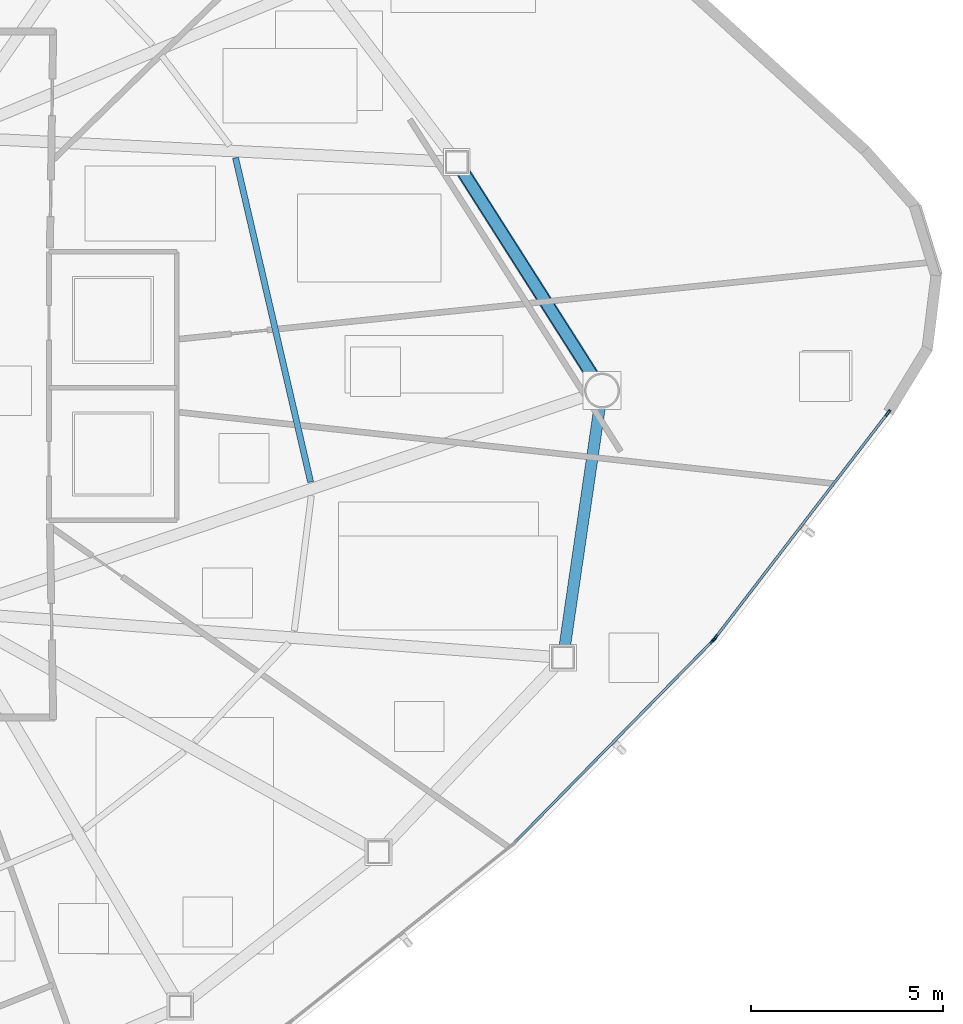
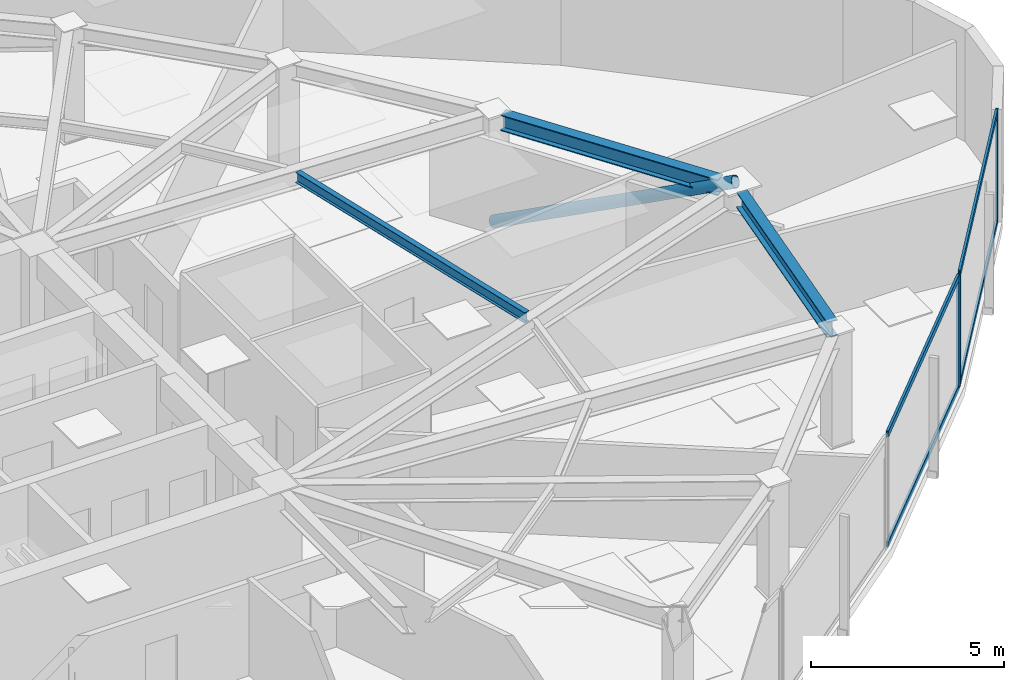
# One storey, part 6 of 18: 8 members, 3 beams, 2 elements without a shape of their own.
"""IFC4 building model written with IfcOpenShell, lengths in metres."""

from ifc_helpers import new_model, si_unit, direction, frame, origin, origin_2d, place, context, subcontext, project, spatial, hollow_rectangle, hollow_circle, i_section, extrude, source, transform, mapped, material, layer, layer_set, material_profile, profile_set, type_object, type_shapes, element, aggregate, save


model = new_model("IFC4")

# Units and contexts
model_context = context("Model", 3, precision=1e-05, world=origin(), true_north=direction((0.0, 1.0)))
body_context = subcontext(model_context, "Body", "Model", "MODEL_VIEW")
ifc_project = project(units=[si_unit("LENGTHUNIT", "METRE"), si_unit("AREAUNIT", "SQUARE_METRE"), si_unit("VOLUMEUNIT", "CUBIC_METRE"), si_unit("PLANEANGLEUNIT", "RADIAN"), si_unit("MASSUNIT", "GRAM", prefix="KILO")], contexts=[model_context])

# Site, building, storey
site_placement = place(None, origin())
site = spatial("IfcSite", under=ifc_project, at=site_placement, CompositionType="ELEMENT")
building_placement = place(site_placement, origin())
building = spatial("IfcBuilding", under=site, at=building_placement, Name="Tavelor Broadcast Tower", CompositionType="ELEMENT")
storey_placement = place(building_placement, frame((0.0, 0.0, 181.050048828125)))
storey = spatial("IfcBuildingStorey", under=building, at=storey_placement, Name="L43", CompositionType="ELEMENT", Elevation=181.050048828125)

# Beams
ifc_material_1 = material(Name="Steel S355", Category="steel")
ifc_material_profile_1 = material_profile(ifc_material_1, i_section(OverallWidth=0.159912109375, OverallDepth=0.330078125, WebThickness=0.007568359375, FlangeThickness=0.011474609375, at=origin_2d()), Name="IPE 330")
ifc_profile_set_1 = profile_set([ifc_material_profile_1], Name="Steel S355")
beam_type_1 = type_object("IfcBeamType", Name="Composite Floor Joist T4 IPE 330", PredefinedType="JOIST", material=ifc_profile_set_1)
beam_1_placement = place(storey_placement, frame((66.069091796875, 42.195068359375, 3.385009765625), z_axis=(-0.225617102792, 0.974216055569, 0.0), x_axis=(-0.974216055569, -0.225617102792, 0.0)))
element("IfcBeam", 1, at=beam_1_placement, inside=storey, type_object=beam_type_1, Name="L43 Secondary Composite Floor Joist 13", PredefinedType="JOIST", context=body_context, shape_type="SweptSolid", body=[
    extrude(i_section(OverallWidth=0.159912109375, OverallDepth=0.330078125, WebThickness=0.007568359375, FlangeThickness=0.011474609375, at=origin_2d()), origin(), (0.0, 0.0, 1.0), 8.683837890625),
])
ifc_material_profile_2 = material_profile(ifc_material_1, i_section(OverallWidth=0.300048828125, OverallDepth=0.5, WebThickness=0.014404296875, FlangeThickness=0.028076171875, at=origin_2d()), Name="HEB 500")
ifc_profile_set_2 = profile_set([ifc_material_profile_2], Name="Steel S355")
beam_type_2 = type_object("IfcBeamType", Name="Perimeter Spandrel Beam T4 HEB 500", PredefinedType="SPANDREL", material=ifc_profile_set_2)
beam_2_placement = place(storey_placement, frame((72.700927734375, 37.892333984375, 3.300048828125), z_axis=(0.144298223799, 0.989534245293, 0.0), x_axis=(-0.989534245293, 0.144298223799, 0.0)))
element("IfcBeam", 2, at=beam_2_placement, inside=storey, type_object=beam_type_2, Name="L43 Framed-Tube Ring Spandrel 12", PredefinedType="SPANDREL", context=body_context, shape_type="SweptSolid", body=[
    extrude(i_section(OverallWidth=0.300048828125, OverallDepth=0.5, WebThickness=0.014404296875, FlangeThickness=0.028076171875, at=origin_2d()), origin(), (0.0, 0.0, 1.0), 6.3193359375),
])
beam_3_placement = place(storey_placement, frame((73.440673828125, 44.94970703125, 3.300048828125), z_axis=(-0.536287336864, 0.844035480486, 0.0), x_axis=(-0.844035480486, -0.536287336864, 0.0)))
element("IfcBeam", 3, at=beam_3_placement, inside=storey, type_object=beam_type_2, Name="L43 Framed-Tube Ring Spandrel 13", PredefinedType="SPANDREL", context=body_context, shape_type="SweptSolid", body=[
    extrude(i_section(OverallWidth=0.300048828125, OverallDepth=0.5, WebThickness=0.014404296875, FlangeThickness=0.028076171875, at=origin_2d()), origin(), (0.0, 0.0, 1.0), 6.340087890625),
])

# Member
ifc_material_profile_3 = material_profile(ifc_material_1, hollow_circle(Radius=0.177734375, WallThickness=0.01611328125, at=origin_2d()), Name="CHS 355.6x16")
ifc_profile_set_3 = profile_set([ifc_material_profile_3], Name="Steel S355")
member_type_1 = type_object("IfcMemberType", Name="Perimeter Tube Brace T4 CHS 355.6x16", PredefinedType="BRACE", material=ifc_profile_set_3)
member_1_placement = place(storey_placement, frame((69.885986328125, 50.544189453125, 0.0), z_axis=(0.479238755177, -0.754205232397, 0.448892729904), x_axis=(0.844021198089, 0.536309814544, 0.0)))
element("IfcMember", 4, at=member_1_placement, inside=storey, type_object=member_type_1, Name="L43 Corner Tube Diagonal Brace 3", PredefinedType="BRACE", context=body_context, shape_type="SweptSolid", body=[
    extrude(hollow_circle(Radius=0.177734375, WallThickness=0.01611328125, at=origin_2d()), origin(), (0.0, 0.0, 1.0), 7.908447265625),
])

# Curtain wall, member
ifc_material_2 = material(Name="Architectural Anodized Aluminium", Category="aluminium")
ifc_layer = layer(ifc_material_2, 0.18994140625)
ifc_layer_set = layer_set([ifc_layer], Name="Architectural Anodized Aluminium")
curtain_wall_type = type_object("IfcCurtainWallType", Name="Tower Mid-Zone Acoustic Curtain Wall CW03", PredefinedType="NOTDEFINED", material=ifc_layer_set)
curtain_wall_1_placement = place(storey_placement, origin())
curtain_wall_1 = element("IfcCurtainWall", 5, at=curtain_wall_1_placement, inside=storey, type_object=curtain_wall_type, Name="L43 Curtain Wall CW03 Run 463", PredefinedType="NOTDEFINED")
ifc_material_profile_4 = material_profile(ifc_material_2, hollow_rectangle(XDim=0.068115234375, YDim=0.18994140625, WallThickness=0.02197265625, at=origin_2d()), Name="RHS 68x190x22")
ifc_profile_set_4 = profile_set([ifc_material_profile_4], Name="Architectural Anodized Aluminium")
member_type_2 = type_object("IfcMemberType", Name="CW03 Extruded Aluminium Mullion 68x190", PredefinedType="MULLION", material=ifc_profile_set_4)
shared_shape_1 = source(origin(), body_context, "Body", "SweptSolid", [
    extrude(hollow_rectangle(XDim=0.068115234375, YDim=0.18994140625, WallThickness=0.02197265625, at=origin_2d()), origin(), (0.0, 0.0, 1.0), 3.550048828125),
])
type_shapes(member_type_2, [shared_shape_1])
member_2_placement = place(storey_placement, frame((76.562744140625, 38.0478515625, 0.0), z_axis=(0.0, 0.0, 1.0), x_axis=(-0.713567261268, 0.700586728141, 0.0)))
member_2 = element("IfcMember", 6, at=member_2_placement, type_object=member_type_2, Name="CW03 mullion 2", PredefinedType="MULLION", context=body_context, shape_type="MappedRepresentation", body=[
    mapped(shared_shape_1, transform((0.0, 0.0, 0.0), scale=1.0)),
])

# Curtain wall, members
curtain_wall_2_placement = place(storey_placement, origin())
curtain_wall_2 = element("IfcCurtainWall", 7, at=curtain_wall_2_placement, inside=storey, type_object=curtain_wall_type, Name="L43 Curtain Wall CW03 Run 464", PredefinedType="NOTDEFINED")
member_3_placement = place(storey_placement, frame((76.626953125, 38.12158203125, 0.0), z_axis=(0.0, 0.0, 1.0), x_axis=(-0.793106237136, 0.609083324855, 0.0)))
member_3 = element("IfcMember", 8, at=member_3_placement, type_object=member_type_2, Name="CW03 mullion 1", PredefinedType="MULLION", context=body_context, shape_type="MappedRepresentation", body=[
    mapped(shared_shape_1, transform((0.0, 0.0, 0.0), scale=1.0)),
])
member_4_placement = place(storey_placement, frame((81.137451171875, 43.994873046875, 0.0), z_axis=(0.0, 0.0, 1.0), x_axis=(-0.793106237136, 0.609083324855, 0.0)))
member_4 = element("IfcMember", 9, at=member_4_placement, type_object=member_type_2, Name="CW03 mullion 2", PredefinedType="MULLION", context=body_context, shape_type="MappedRepresentation", body=[
    mapped(shared_shape_1, transform((0.0, 0.0, 0.0), scale=1.0)),
])

# Member
ifc_material_profile_5 = material_profile(ifc_material_2, hollow_rectangle(XDim=0.068115234375, YDim=0.18994140625, WallThickness=0.02197265625, at=origin_2d()), Name="RHS 68x190x22")
ifc_profile_set_5 = profile_set([ifc_material_profile_5], Name="Architectural Anodized Aluminium")
member_type_3 = type_object("IfcMemberType", Name="CW03 Extruded Aluminium Transom 68x190", PredefinedType="USERDEFINED", material=ifc_profile_set_5)
shared_shape_2 = source(origin(), body_context, "Body", "SweptSolid", [
    extrude(hollow_rectangle(XDim=0.068115234375, YDim=0.18994140625, WallThickness=0.02197265625, at=origin_2d()), origin(), (0.0, 0.0, 1.0), 7.3212890625),
])
member_5_placement = place(storey_placement, frame((71.40966796875, 32.79931640625, 0.033935546875), z_axis=(0.700591006152, 0.713563061052, 0.0), x_axis=(-0.713563061052, 0.700591006152, 0.0)))
member_5 = element("IfcMember", 10, at=member_5_placement, type_object=member_type_3, Name="CW03 transom 1.1", ObjectType="TRANSOM", PredefinedType="USERDEFINED", context=body_context, shape_type="MappedRepresentation", body=[
    mapped(shared_shape_2, transform((0.0, 0.0, 0.0), scale=1.0)),
])

member_6_placement = place(storey_placement, frame((71.40966796875, 32.79931640625, 3.515869140625), z_axis=(0.700591006152, 0.713563061052, 0.0), x_axis=(-0.713563061052, 0.700591006152, 0.0)))
member_6 = element("IfcMember", 11, at=member_6_placement, type_object=member_type_3, Name="CW03 transom 1.2", ObjectType="TRANSOM", PredefinedType="USERDEFINED", context=body_context, shape_type="MappedRepresentation", body=[
    mapped(shared_shape_2, transform((0.0, 0.0, 0.0), scale=1.0)),
])

aggregate(curtain_wall_1, [member_2, member_5, member_6])

shared_shape_3 = source(origin(), body_context, "Body", "SweptSolid", [
    extrude(hollow_rectangle(XDim=0.068115234375, YDim=0.18994140625, WallThickness=0.02197265625, at=origin_2d()), origin(), (0.0, 0.0, 1.0), 7.337646484375),
])
type_shapes(member_type_3, [shared_shape_2, shared_shape_3])
member_7_placement = place(storey_placement, frame((76.647705078125, 38.1484375, 0.033935546875), z_axis=(0.609059322719, 0.793124669525, 0.0), x_axis=(-0.793124669525, 0.609059322719, 0.0)))
member_7 = element("IfcMember", 12, at=member_7_placement, type_object=member_type_3, Name="CW03 transom 1.1", ObjectType="TRANSOM", PredefinedType="USERDEFINED", context=body_context, shape_type="MappedRepresentation", body=[
    mapped(shared_shape_3, transform((0.0, 0.0, 0.0), scale=1.0)),
])

member_8_placement = place(storey_placement, frame((76.647705078125, 38.1484375, 3.515869140625), z_axis=(0.609059322719, 0.793124669525, 0.0), x_axis=(-0.793124669525, 0.609059322719, 0.0)))
member_8 = element("IfcMember", 13, at=member_8_placement, type_object=member_type_3, Name="CW03 transom 1.2", ObjectType="TRANSOM", PredefinedType="USERDEFINED", context=body_context, shape_type="MappedRepresentation", body=[
    mapped(shared_shape_3, transform((0.0, 0.0, 0.0), scale=1.0)),
])

aggregate(curtain_wall_2, [member_3, member_4, member_7, member_8])

save(model, "model.ifc")
